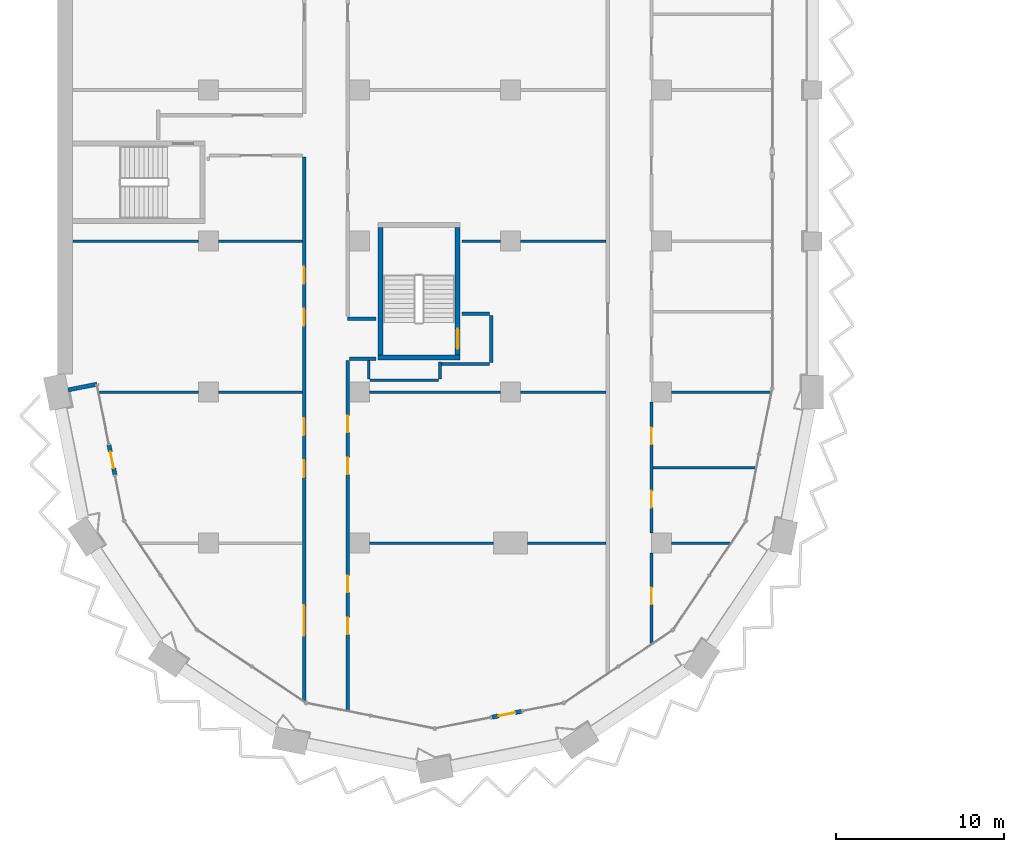
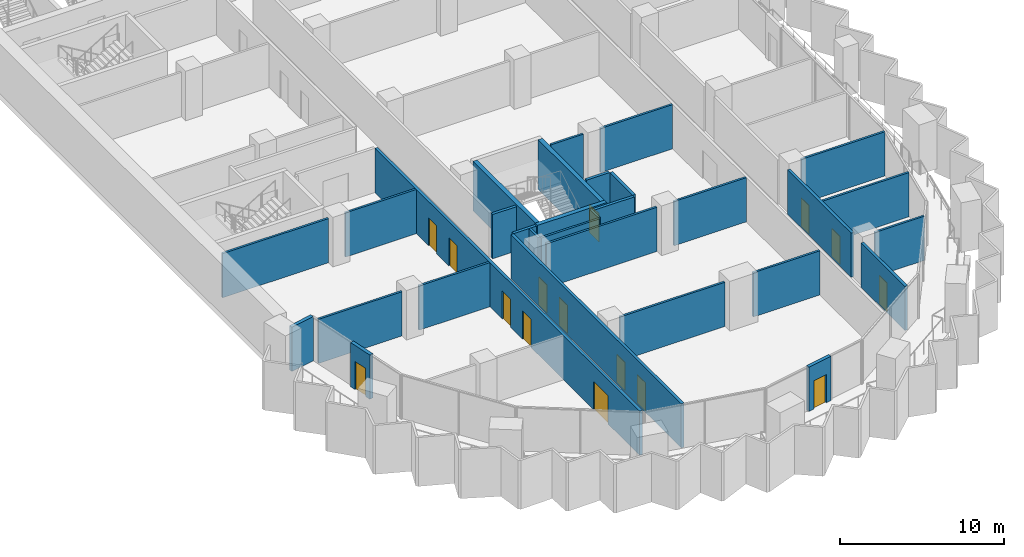
# One storey, part 8 of 22: 31 walls, 15 doors, 15 openings.
"""IFC4 building model written with IfcOpenShell, lengths in metres."""

from ifc_helpers import new_model, si_unit, direction, frame, frame_2d, origin, place, context, subcontext, project, spatial, rectangle, extrude, material, layer, layer_set, type_object, element, fill, save


model = new_model("IFC4")

# Units and contexts
model_context = context("Model", 3, precision=1e-05, world=origin(), true_north=direction((0.0, 1.0)))
body_context = subcontext(model_context, "Body", "Model", "MODEL_VIEW")
ifc_project = project(units=[si_unit("LENGTHUNIT", "METRE"), si_unit("AREAUNIT", "SQUARE_METRE"), si_unit("VOLUMEUNIT", "CUBIC_METRE"), si_unit("PLANEANGLEUNIT", "RADIAN"), si_unit("MASSUNIT", "GRAM", prefix="KILO")], contexts=[model_context])

# Site, building, storey
site_placement = place(None, origin())
site = spatial("IfcSite", under=ifc_project, at=site_placement, CompositionType="ELEMENT")
building_placement = place(site_placement, origin())
building = spatial("IfcBuilding", under=site, at=building_placement, Name="Hunhe Ridgeline Campus", CompositionType="ELEMENT")
storey_placement = place(building_placement, frame((0.0, 0.0, 137.5)))
storey = spatial("IfcBuildingStorey", under=building, at=storey_placement, Name="L34", CompositionType="ELEMENT", Elevation=137.5)

# Walls
ifc_material_1 = material(Name="Concrete C30", Category="concrete")
ifc_layer_1 = layer(ifc_material_1, 0.25)
ifc_layer_set_1 = layer_set([ifc_layer_1], Name="Corner return wall 250 Concrete C30")
wall_type_1 = type_object("IfcWallType", Name="Corner return wall 250 Concrete C30", PredefinedType="SOLIDWALL", material=ifc_layer_set_1)
wall_1_placement = place(storey_placement, frame((0.637451171875, 27.127685546875, 0.0), z_axis=(0.0, 0.0, 1.0), x_axis=(0.980842591884, 0.194801976239, 0.0)))
element("IfcWall", 1, at=wall_1_placement, inside=storey, type_object=wall_type_1, Name="Corner return wall 1", PredefinedType="SOLIDWALL", context=body_context, shape_type="SweptSolid", body=[
    extrude(rectangle(XDim=1.750732421875, YDim=0.25, at=frame_2d((0.87548828125, 0.0))), origin(), (0.0, 0.0, 1.0), 3.300048828125),
])
ifc_material_2 = material(Name="Gypsum board partition")
ifc_layer_2 = layer(ifc_material_2, 0.199951171875)
ifc_layer_set_2 = layer_set([ifc_layer_2], Name="Corridor partition 200 gypsum board on steel studs")
wall_type_2 = type_object("IfcWallType", Name="Corridor partition 200 gypsum board on steel studs", PredefinedType="PARTITIONING", material=ifc_layer_set_2)
wall_2_placement = place(storey_placement, frame((25.75, 28.675048828125, 0.0), z_axis=(0.0, 0.0, 1.0), x_axis=(-1.0, 0.0, 0.0)))
element("IfcWall", 2, at=wall_2_placement, inside=storey, type_object=wall_type_2, Name="F-L34-wall-013", PredefinedType="PARTITIONING", context=body_context, shape_type="SweptSolid", body=[
    extrude(rectangle(XDim=2.875, YDim=0.199951171875, at=frame_2d((1.4375, 0.0))), origin(), (0.0, 0.0, 1.0), 3.300048828125),
])
wall_3_placement = place(storey_placement, frame((18.99609375, 28.97509765625, 0.0), z_axis=(0.0, 0.0, 1.0), x_axis=(-1.0, 0.0, 0.0)))
element("IfcWall", 3, at=wall_3_placement, inside=storey, type_object=wall_type_2, Name="F-L34-wall-014", PredefinedType="PARTITIONING", context=body_context, shape_type="SweptSolid", body=[
    extrude(rectangle(XDim=1.59619140625, YDim=0.199951171875, at=frame_2d((0.798095703125, 0.0))), origin(), (0.0, 0.0, 1.0), 3.300048828125),
])
wall_4_placement = place(storey_placement, frame((17.300048828125, 31.375, 0.0), z_axis=(0.0, 0.0, 1.0), x_axis=(1.0, 0.0, 0.0)))
element("IfcWall", 4, at=wall_4_placement, inside=storey, type_object=wall_type_2, Name="F-L34-wall-015", PredefinedType="PARTITIONING", context=body_context, shape_type="SweptSolid", body=[
    extrude(rectangle(XDim=1.696044921875, YDim=0.199951171875, at=frame_2d((0.84814453125, 0.0))), origin(), (0.0, 0.0, 1.0), 3.300048828125),
])
wall_5_placement = place(storey_placement, frame((24.10400390625, 31.675048828125, 0.0), z_axis=(0.0, 0.0, 1.0), x_axis=(1.0, 0.0, 0.0)))
element("IfcWall", 5, at=wall_5_placement, inside=storey, type_object=wall_type_2, Name="F-L34-wall-016", PredefinedType="PARTITIONING", context=body_context, shape_type="SweptSolid", body=[
    extrude(rectangle(XDim=1.64599609375, YDim=0.199951171875, at=frame_2d((0.822998046875, 0.0))), origin(), (0.0, 0.0, 1.0), 3.300048828125),
])

# Wall, openings, doors
wall_6_placement = place(storey_placement, frame((14.699951171875, 8.623779296875, 0.0), z_axis=(0.0, 0.0, 1.0), x_axis=(0.0, 1.0, 0.0)))
wall_6 = element("IfcWall", 6, at=wall_6_placement, inside=storey, type_object=wall_type_2, Name="F-L34-wall-061", PredefinedType="PARTITIONING", context=body_context, shape_type="SweptSolid", body=[
    extrude(rectangle(XDim=32.376220703125, YDim=0.199951171875, at=frame_2d((16.18798828125, 0.0))), origin(), (0.0, 0.0, 1.0), 3.300048828125),
])
opening_1_placement = place(wall_6_placement, frame((3.86865234375, 0.0, 0.0)))
opening_1 = element("IfcOpeningElement", 7, at=opening_1_placement, cuts=wall_6, Name="Opening RD2-002", PredefinedType="OPENING", context=body_context, shape_type="SweptSolid", body=[
    extrude(rectangle(XDim=1.800048828125, YDim=2.10009765625, at=frame_2d((0.89990234375, 1.050048828125))), frame((0.0, 0.10009765625, 0.0), z_axis=(0.0, -1.0, 0.0), x_axis=(1.0, 0.0, 0.0)), (0.0, 0.0, 1.0), 0.199951171875),
])
opening_2_placement = place(wall_6_placement, frame((13.3037109375, 0.0, 0.0)))
opening_2 = element("IfcOpeningElement", 8, at=opening_2_placement, cuts=wall_6, Name="Opening RD1-006", PredefinedType="OPENING", context=body_context, shape_type="SweptSolid", body=[
    extrude(rectangle(XDim=1.0, YDim=2.10009765625, at=frame_2d((0.5, 1.050048828125))), frame((0.0, 0.10009765625, 0.0), z_axis=(0.0, -1.0, 0.0), x_axis=(1.0, 0.0, 0.0)), (0.0, 0.0, 1.0), 0.199951171875),
])
opening_3_placement = place(wall_6_placement, frame((15.8037109375, 0.0, 0.0)))
opening_3 = element("IfcOpeningElement", 9, at=opening_3_placement, cuts=wall_6, Name="Opening RD1-009", PredefinedType="OPENING", context=body_context, shape_type="SweptSolid", body=[
    extrude(rectangle(XDim=1.0, YDim=2.10009765625, at=frame_2d((0.5, 1.050048828125))), frame((0.0, 0.10009765625, 0.0), z_axis=(0.0, -1.0, 0.0), x_axis=(1.0, 0.0, 0.0)), (0.0, 0.0, 1.0), 0.199951171875),
])
opening_4_placement = place(wall_6_placement, frame((22.339111328125, 0.0, 0.0)))
opening_4 = element("IfcOpeningElement", 10, at=opening_4_placement, cuts=wall_6, Name="Opening RD1-013", PredefinedType="OPENING", context=body_context, shape_type="SweptSolid", body=[
    extrude(rectangle(XDim=1.0, YDim=2.10009765625, at=frame_2d((0.5, 1.050048828125))), frame((0.0, 0.10009765625, 0.0), z_axis=(0.0, -1.0, 0.0), x_axis=(1.0, 0.0, 0.0)), (0.0, 0.0, 1.0), 0.199951171875),
])
opening_5_placement = place(wall_6_placement, frame((24.839111328125, 0.0, 0.0)))
opening_5 = element("IfcOpeningElement", 11, at=opening_5_placement, cuts=wall_6, Name="Opening RD1-015", PredefinedType="OPENING", context=body_context, shape_type="SweptSolid", body=[
    extrude(rectangle(XDim=1.0, YDim=2.10009765625, at=frame_2d((0.5, 1.050048828125))), frame((0.0, 0.10009765625, 0.0), z_axis=(0.0, -1.0, 0.0), x_axis=(1.0, 0.0, 0.0)), (0.0, 0.0, 1.0), 0.199951171875),
])
ifc_material_3 = material(Name="Timber door leaf", Category="wood")
door_type_1 = type_object("IfcDoorType", Name="Double fire door 1800x2100 timber FD60", OperationType="DOUBLE_DOOR_SINGLE_SWING", PredefinedType="DOOR", material=ifc_material_3)
door_1_placement = place(opening_1_placement, origin())
door_1 = element("IfcDoor", 12, at=door_1_placement, inside=storey, type_object=door_type_1, Name="F-L34-door-002", OperationType="DOUBLE_DOOR_SINGLE_SWING", OverallHeight=2.10009765625, OverallWidth=1.800048828125, PredefinedType="DOOR", context=body_context, shape_type="SweptSolid", body=[
    extrude(rectangle(XDim=1.800048828125, YDim=2.10009765625, at=frame_2d((0.89990234375, 1.050048828125))), frame((0.0, 0.02490234375, 0.0), z_axis=(0.0, -1.0, 0.0), x_axis=(1.0, 0.0, 0.0)), (0.0, 0.0, 1.0), 0.050048828125),
])
fill(opening_1, door_1)
door_type_2 = type_object("IfcDoorType", Name="Single fire door 1000x2100 timber FD60", OperationType="NOTDEFINED", PredefinedType="DOOR", material=ifc_material_3)
door_2_placement = place(opening_2_placement, frame((1.0, 0.0, 0.0), z_axis=(0.0, 0.0, 1.0), x_axis=(-1.0, 0.0, 0.0)))
door_2 = element("IfcDoor", 13, at=door_2_placement, inside=storey, type_object=door_type_2, Name="F-L34-door-006", OperationType="SINGLE_SWING_LEFT", OverallHeight=2.10009765625, OverallWidth=1.0, PredefinedType="DOOR", context=body_context, shape_type="SweptSolid", body=[
    extrude(rectangle(XDim=1.0, YDim=2.10009765625, at=frame_2d((0.5, 1.050048828125))), frame((0.0, 0.02490234375, 0.0), z_axis=(0.0, -1.0, 0.0), x_axis=(1.0, 0.0, 0.0)), (0.0, 0.0, 1.0), 0.050048828125),
])
fill(opening_2, door_2)
door_3_placement = place(opening_3_placement, frame((1.0, 0.0, 0.0), z_axis=(0.0, 0.0, 1.0), x_axis=(-1.0, 0.0, 0.0)))
door_3 = element("IfcDoor", 14, at=door_3_placement, inside=storey, type_object=door_type_2, Name="F-L34-door-009", OperationType="SINGLE_SWING_LEFT", OverallHeight=2.10009765625, OverallWidth=1.0, PredefinedType="DOOR", context=body_context, shape_type="SweptSolid", body=[
    extrude(rectangle(XDim=1.0, YDim=2.10009765625, at=frame_2d((0.5, 1.050048828125))), frame((0.0, 0.02490234375, 0.0), z_axis=(0.0, -1.0, 0.0), x_axis=(1.0, 0.0, 0.0)), (0.0, 0.0, 1.0), 0.050048828125),
])
fill(opening_3, door_3)
door_4_placement = place(opening_4_placement, frame((1.0, 0.0, 0.0), z_axis=(0.0, 0.0, 1.0), x_axis=(-1.0, 0.0, 0.0)))
door_4 = element("IfcDoor", 15, at=door_4_placement, inside=storey, type_object=door_type_2, Name="F-L34-door-013", OperationType="SINGLE_SWING_LEFT", OverallHeight=2.10009765625, OverallWidth=1.0, PredefinedType="DOOR", context=body_context, shape_type="SweptSolid", body=[
    extrude(rectangle(XDim=1.0, YDim=2.10009765625, at=frame_2d((0.5, 1.050048828125))), frame((0.0, 0.02490234375, 0.0), z_axis=(0.0, -1.0, 0.0), x_axis=(1.0, 0.0, 0.0)), (0.0, 0.0, 1.0), 0.050048828125),
])
fill(opening_4, door_4)
door_5_placement = place(opening_5_placement, frame((1.0, 0.0, 0.0), z_axis=(0.0, 0.0, 1.0), x_axis=(-1.0, 0.0, 0.0)))
door_5 = element("IfcDoor", 16, at=door_5_placement, inside=storey, type_object=door_type_2, Name="F-L34-door-015", OperationType="SINGLE_SWING_LEFT", OverallHeight=2.10009765625, OverallWidth=1.0, PredefinedType="DOOR", context=body_context, shape_type="SweptSolid", body=[
    extrude(rectangle(XDim=1.0, YDim=2.10009765625, at=frame_2d((0.5, 1.050048828125))), frame((0.0, 0.02490234375, 0.0), z_axis=(0.0, -1.0, 0.0), x_axis=(1.0, 0.0, 0.0)), (0.0, 0.0, 1.0), 0.050048828125),
])
fill(opening_5, door_5)

wall_7_placement = place(storey_placement, frame((17.300048828125, 28.875, 0.0), z_axis=(0.0, 0.0, 1.0), x_axis=(0.0, -1.0, 0.0)))
wall_7 = element("IfcWall", 17, at=wall_7_placement, inside=storey, type_object=wall_type_2, Name="F-L34-wall-063", PredefinedType="PARTITIONING", context=body_context, shape_type="SweptSolid", body=[
    extrude(rectangle(XDim=20.837646484375, YDim=0.199951171875, at=frame_2d((10.4189453125, 0.0))), origin(), (0.0, 0.0, 1.0), 3.300048828125),
])
opening_6_placement = place(wall_7_placement, frame((15.31640625, 0.0, 0.0)))
opening_6 = element("IfcOpeningElement", 18, at=opening_6_placement, cuts=wall_7, Name="Opening RD1-001", PredefinedType="OPENING", context=body_context, shape_type="SweptSolid", body=[
    extrude(rectangle(XDim=1.0, YDim=2.10009765625, at=frame_2d((0.5, 1.050048828125))), frame((0.0, 0.10009765625, 0.0), z_axis=(0.0, -1.0, 0.0), x_axis=(1.0, 0.0, 0.0)), (0.0, 0.0, 1.0), 0.199951171875),
])
opening_7_placement = place(wall_7_placement, frame((12.81640625, 0.0, 0.0)))
opening_7 = element("IfcOpeningElement", 19, at=opening_7_placement, cuts=wall_7, Name="Opening RD1-004", PredefinedType="OPENING", context=body_context, shape_type="SweptSolid", body=[
    extrude(rectangle(XDim=1.0, YDim=2.10009765625, at=frame_2d((0.5, 1.050048828125))), frame((0.0, 0.10009765625, 0.0), z_axis=(0.0, -1.0, 0.0), x_axis=(1.0, 0.0, 0.0)), (0.0, 0.0, 1.0), 0.199951171875),
])
opening_8_placement = place(wall_7_placement, frame((5.7763671875, 0.0, 0.0)))
opening_8 = element("IfcOpeningElement", 20, at=opening_8_placement, cuts=wall_7, Name="Opening RD1-007", PredefinedType="OPENING", context=body_context, shape_type="SweptSolid", body=[
    extrude(rectangle(XDim=1.0, YDim=2.10009765625, at=frame_2d((0.5, 1.050048828125))), frame((0.0, 0.10009765625, 0.0), z_axis=(0.0, -1.0, 0.0), x_axis=(1.0, 0.0, 0.0)), (0.0, 0.0, 1.0), 0.199951171875),
])
opening_9_placement = place(wall_7_placement, frame((3.2763671875, 0.0, 0.0)))
opening_9 = element("IfcOpeningElement", 21, at=opening_9_placement, cuts=wall_7, Name="Opening RD1-010", PredefinedType="OPENING", context=body_context, shape_type="SweptSolid", body=[
    extrude(rectangle(XDim=1.0, YDim=2.10009765625, at=frame_2d((0.5, 1.050048828125))), frame((0.0, 0.10009765625, 0.0), z_axis=(0.0, -1.0, 0.0), x_axis=(1.0, 0.0, 0.0)), (0.0, 0.0, 1.0), 0.199951171875),
])
door_6_placement = place(opening_6_placement, frame((1.0, 0.0, 0.0), z_axis=(0.0, 0.0, 1.0), x_axis=(-1.0, 0.0, 0.0)))
door_6 = element("IfcDoor", 22, at=door_6_placement, inside=storey, type_object=door_type_2, Name="F-L34-door-001", OperationType="SINGLE_SWING_RIGHT", OverallHeight=2.10009765625, OverallWidth=1.0, PredefinedType="DOOR", context=body_context, shape_type="SweptSolid", body=[
    extrude(rectangle(XDim=1.0, YDim=2.10009765625, at=frame_2d((0.5, 1.050048828125))), frame((0.0, 0.02490234375, 0.0), z_axis=(0.0, -1.0, 0.0), x_axis=(1.0, 0.0, 0.0)), (0.0, 0.0, 1.0), 0.050048828125),
])
fill(opening_6, door_6)
door_7_placement = place(opening_7_placement, frame((1.0, 0.0, 0.0), z_axis=(0.0, 0.0, 1.0), x_axis=(-1.0, 0.0, 0.0)))
door_7 = element("IfcDoor", 23, at=door_7_placement, inside=storey, type_object=door_type_2, Name="F-L34-door-004", OperationType="SINGLE_SWING_RIGHT", OverallHeight=2.10009765625, OverallWidth=1.0, PredefinedType="DOOR", context=body_context, shape_type="SweptSolid", body=[
    extrude(rectangle(XDim=1.0, YDim=2.10009765625, at=frame_2d((0.5, 1.050048828125))), frame((0.0, 0.02490234375, 0.0), z_axis=(0.0, -1.0, 0.0), x_axis=(1.0, 0.0, 0.0)), (0.0, 0.0, 1.0), 0.050048828125),
])
fill(opening_7, door_7)
door_8_placement = place(opening_8_placement, frame((1.0, 0.0, 0.0), z_axis=(0.0, 0.0, 1.0), x_axis=(-1.0, 0.0, 0.0)))
door_8 = element("IfcDoor", 24, at=door_8_placement, inside=storey, type_object=door_type_2, Name="F-L34-door-007", OperationType="SINGLE_SWING_RIGHT", OverallHeight=2.10009765625, OverallWidth=1.0, PredefinedType="DOOR", context=body_context, shape_type="SweptSolid", body=[
    extrude(rectangle(XDim=1.0, YDim=2.10009765625, at=frame_2d((0.5, 1.050048828125))), frame((0.0, 0.02490234375, 0.0), z_axis=(0.0, -1.0, 0.0), x_axis=(1.0, 0.0, 0.0)), (0.0, 0.0, 1.0), 0.050048828125),
])
fill(opening_8, door_8)
door_9_placement = place(opening_9_placement, frame((1.0, 0.0, 0.0), z_axis=(0.0, 0.0, 1.0), x_axis=(-1.0, 0.0, 0.0)))
door_9 = element("IfcDoor", 25, at=door_9_placement, inside=storey, type_object=door_type_2, Name="F-L34-door-010", OperationType="SINGLE_SWING_RIGHT", OverallHeight=2.10009765625, OverallWidth=1.0, PredefinedType="DOOR", context=body_context, shape_type="SweptSolid", body=[
    extrude(rectangle(XDim=1.0, YDim=2.10009765625, at=frame_2d((0.5, 1.050048828125))), frame((0.0, 0.02490234375, 0.0), z_axis=(0.0, -1.0, 0.0), x_axis=(1.0, 0.0, 0.0)), (0.0, 0.0, 1.0), 0.050048828125),
])
fill(opening_9, door_9)

# Wall
wall_8_placement = place(storey_placement, frame((25.85009765625, 31.574951171875, 0.0), z_axis=(0.0, 0.0, 1.0), x_axis=(0.0, -1.0, 0.0)))
element("IfcWall", 26, at=wall_8_placement, inside=storey, type_object=wall_type_2, Name="F-L34-wall-067", PredefinedType="PARTITIONING", context=body_context, shape_type="SweptSolid", body=[
    extrude(rectangle(XDim=2.800048828125, YDim=0.199951171875, at=frame_2d((1.39990234375, 0.0))), origin(), (0.0, 0.0, 1.0), 3.300048828125),
])

# Wall, opening, door
wall_9_placement = place(storey_placement, frame((35.39990234375, 17.39990234375, 0.0), z_axis=(0.0, 0.0, 1.0), x_axis=(0.0, -1.0, 0.0)))
wall_9 = element("IfcWall", 27, at=wall_9_placement, inside=storey, type_object=wall_type_2, Name="F-L34-wall-069", PredefinedType="PARTITIONING", context=body_context, shape_type="SweptSolid", body=[
    extrude(rectangle(XDim=5.368408203125, YDim=0.199951171875, at=frame_2d((2.68408203125, 0.0))), origin(), (0.0, 0.0, 1.0), 3.300048828125),
])
opening_10_placement = place(wall_9_placement, frame((2.056396484375, 0.0, 0.0)))
opening_10 = element("IfcOpeningElement", 28, at=opening_10_placement, cuts=wall_9, Name="Opening RD1-003", PredefinedType="OPENING", context=body_context, shape_type="SweptSolid", body=[
    extrude(rectangle(XDim=1.0, YDim=2.10009765625, at=frame_2d((0.5, 1.050048828125))), frame((0.0, 0.10009765625, 0.0), z_axis=(0.0, -1.0, 0.0), x_axis=(1.0, 0.0, 0.0)), (0.0, 0.0, 1.0), 0.199951171875),
])
door_10_placement = place(opening_10_placement, origin())
door_10 = element("IfcDoor", 29, at=door_10_placement, inside=storey, type_object=door_type_2, Name="F-L34-door-003", OperationType="SINGLE_SWING_LEFT", OverallHeight=2.10009765625, OverallWidth=1.0, PredefinedType="DOOR", context=body_context, shape_type="SweptSolid", body=[
    extrude(rectangle(XDim=1.0, YDim=2.10009765625, at=frame_2d((0.5, 1.050048828125))), frame((0.0, 0.02490234375, 0.0), z_axis=(0.0, -1.0, 0.0), x_axis=(1.0, 0.0, 0.0)), (0.0, 0.0, 1.0), 0.050048828125),
])
fill(opening_10, door_10)

# Wall, openings, doors
wall_10_placement = place(storey_placement, frame((35.39990234375, 26.39990234375, 0.0), z_axis=(0.0, 0.0, 1.0), x_axis=(0.0, -1.0, 0.0)))
wall_10 = element("IfcWall", 30, at=wall_10_placement, inside=storey, type_object=wall_type_2, Name="F-L34-wall-070", PredefinedType="PARTITIONING", context=body_context, shape_type="SweptSolid", body=[
    extrude(rectangle(XDim=7.7998046875, YDim=0.199951171875, at=frame_2d((3.89990234375, 0.0))), origin(), (0.0, 0.0, 1.0), 3.300048828125),
])
opening_11_placement = place(wall_10_placement, frame((5.287109375, 0.0, 0.0)))
opening_11 = element("IfcOpeningElement", 31, at=opening_11_placement, cuts=wall_10, Name="Opening RD1-005", PredefinedType="OPENING", context=body_context, shape_type="SweptSolid", body=[
    extrude(rectangle(XDim=1.0, YDim=2.10009765625, at=frame_2d((0.5, 1.050048828125))), frame((0.0, 0.10009765625, 0.0), z_axis=(0.0, -1.0, 0.0), x_axis=(1.0, 0.0, 0.0)), (0.0, 0.0, 1.0), 0.199951171875),
])
opening_12_placement = place(wall_10_placement, frame((1.512939453125, 0.0, 0.0)))
opening_12 = element("IfcOpeningElement", 32, at=opening_12_placement, cuts=wall_10, Name="Opening RD1-008", PredefinedType="OPENING", context=body_context, shape_type="SweptSolid", body=[
    extrude(rectangle(XDim=1.0, YDim=2.10009765625, at=frame_2d((0.5, 1.050048828125))), frame((0.0, 0.10009765625, 0.0), z_axis=(0.0, -1.0, 0.0), x_axis=(1.0, 0.0, 0.0)), (0.0, 0.0, 1.0), 0.199951171875),
])
door_11_placement = place(opening_11_placement, origin())
door_11 = element("IfcDoor", 33, at=door_11_placement, inside=storey, type_object=door_type_2, Name="F-L34-door-005", OperationType="SINGLE_SWING_LEFT", OverallHeight=2.10009765625, OverallWidth=1.0, PredefinedType="DOOR", context=body_context, shape_type="SweptSolid", body=[
    extrude(rectangle(XDim=1.0, YDim=2.10009765625, at=frame_2d((0.5, 1.050048828125))), frame((0.0, 0.02490234375, 0.0), z_axis=(0.0, -1.0, 0.0), x_axis=(1.0, 0.0, 0.0)), (0.0, 0.0, 1.0), 0.050048828125),
])
fill(opening_11, door_11)
door_12_placement = place(opening_12_placement, origin())
door_12 = element("IfcDoor", 34, at=door_12_placement, inside=storey, type_object=door_type_2, Name="F-L34-door-008", OperationType="SINGLE_SWING_LEFT", OverallHeight=2.10009765625, OverallWidth=1.0, PredefinedType="DOOR", context=body_context, shape_type="SweptSolid", body=[
    extrude(rectangle(XDim=1.0, YDim=2.10009765625, at=frame_2d((0.5, 1.050048828125))), frame((0.0, 0.02490234375, 0.0), z_axis=(0.0, -1.0, 0.0), x_axis=(1.0, 0.0, 0.0)), (0.0, 0.0, 1.0), 0.050048828125),
])
fill(opening_12, door_12)

# Wall, opening, door
ifc_layer_3 = layer(ifc_material_1, 0.25)
ifc_layer_set_3 = layer_set([ifc_layer_3], Name="Loggia door pier wall 250 Concrete C30")
wall_type_3 = type_object("IfcWallType", Name="Loggia door pier wall 250 Concrete C30", PredefinedType="SOLIDWALL", material=ifc_layer_set_3)
wall_11_placement = place(storey_placement, frame((3.076904296875, 23.8388671875, 0.0), z_axis=(0.0, 0.0, 1.0), x_axis=(0.195046569833, -0.980793982239, 0.0)))
wall_11 = element("IfcWall", 35, at=wall_11_placement, inside=storey, type_object=wall_type_3, Name="Loggia door pier 1", PredefinedType="SOLIDWALL", context=body_context, shape_type="SweptSolid", body=[
    extrude(rectangle(XDim=1.800048828125, YDim=0.25, at=frame_2d((0.89990234375, 0.0))), origin(), (0.0, 0.0, 1.0), 3.300048828125),
])
opening_13_placement = place(wall_11_placement, frame((0.39990234375, 0.0, 0.0)))
opening_13 = element("IfcOpeningElement", 36, at=opening_13_placement, cuts=wall_11, Name="Opening BD301", PredefinedType="OPENING", context=body_context, shape_type="SweptSolid", body=[
    extrude(rectangle(XDim=1.0, YDim=2.10009765625, at=frame_2d((0.5, 1.050048828125))), frame((0.0, 0.125, 0.0), z_axis=(0.0, -1.0, 0.0), x_axis=(1.0, 0.0, 0.0)), (0.0, 0.0, 1.0), 0.25),
])
ifc_material_4 = material(Name="Aluminium 6063", Category="aluminium")
door_type_3 = type_object("IfcDoorType", Name="Loggia glazed door 1000x2100", OperationType="NOTDEFINED", PredefinedType="DOOR", material=ifc_material_4)
door_13_placement = place(opening_13_placement, frame((1.0, 0.0, 0.0), z_axis=(0.0, 0.0, 1.0), x_axis=(-1.0, 0.0, 0.0)))
door_13 = element("IfcDoor", 37, at=door_13_placement, inside=storey, type_object=door_type_3, Name="Loggia door BD301", OperationType="SINGLE_SWING_RIGHT", OverallHeight=2.10009765625, OverallWidth=1.0, PredefinedType="DOOR", context=body_context, shape_type="SweptSolid", body=[
    extrude(rectangle(XDim=1.0, YDim=2.10009765625, at=frame_2d((0.5, 1.050048828125))), frame((0.0, 0.02490234375, 0.0), z_axis=(0.0, -1.0, 0.0), x_axis=(1.0, 0.0, 0.0)), (0.0, 0.0, 1.0), 0.050048828125),
])
fill(opening_13, door_13)

wall_12_placement = place(storey_placement, frame((25.8955078125, 7.62353515625, 0.0), z_axis=(0.0, 0.0, 1.0), x_axis=(0.980793982239, 0.195046569833, 0.0)))
wall_12 = element("IfcWall", 38, at=wall_12_placement, inside=storey, type_object=wall_type_3, Name="Loggia door pier 2", PredefinedType="SOLIDWALL", context=body_context, shape_type="SweptSolid", body=[
    extrude(rectangle(XDim=1.800048828125, YDim=0.25, at=frame_2d((0.89990234375, 0.0))), origin(), (0.0, 0.0, 1.0), 3.300048828125),
])
opening_14_placement = place(wall_12_placement, frame((0.39990234375, 0.0, 0.0)))
opening_14 = element("IfcOpeningElement", 39, at=opening_14_placement, cuts=wall_12, Name="Opening BD303", PredefinedType="OPENING", context=body_context, shape_type="SweptSolid", body=[
    extrude(rectangle(XDim=1.0, YDim=2.10009765625, at=frame_2d((0.5, 1.050048828125))), frame((0.0, 0.125, 0.0), z_axis=(0.0, -1.0, 0.0), x_axis=(1.0, 0.0, 0.0)), (0.0, 0.0, 1.0), 0.25),
])
door_14_placement = place(opening_14_placement, frame((1.0, 0.0, 0.0), z_axis=(0.0, 0.0, 1.0), x_axis=(-1.0, 0.0, 0.0)))
door_14 = element("IfcDoor", 40, at=door_14_placement, inside=storey, type_object=door_type_3, Name="Loggia door BD303", OperationType="SINGLE_SWING_RIGHT", OverallHeight=2.10009765625, OverallWidth=1.0, PredefinedType="DOOR", context=body_context, shape_type="SweptSolid", body=[
    extrude(rectangle(XDim=1.0, YDim=2.10009765625, at=frame_2d((0.5, 1.050048828125))), frame((0.0, 0.02490234375, 0.0), z_axis=(0.0, -1.0, 0.0), x_axis=(1.0, 0.0, 0.0)), (0.0, 0.0, 1.0), 0.050048828125),
])
fill(opening_14, door_14)

# Walls
ifc_layer_4 = layer(ifc_material_2, 0.14990234375)
ifc_layer_set_4 = layer_set([ifc_layer_4], Name="Room partition 150 gypsum board on steel studs")
wall_type_4 = type_object("IfcWallType", Name="Room partition 150 gypsum board on steel studs", PredefinedType="PARTITIONING", material=ifc_layer_set_4)
wall_13_placement = place(storey_placement, frame((18.60009765625, 18.0, 0.0), z_axis=(0.0, 0.0, 1.0), x_axis=(1.0, 0.0, 0.0)))
element("IfcWall", 41, at=wall_13_placement, inside=storey, type_object=wall_type_4, Name="F-L34-wall-003", PredefinedType="PARTITIONING", context=body_context, shape_type="SweptSolid", body=[
    extrude(rectangle(XDim=7.39990234375, YDim=0.14990234375, at=frame_2d((3.699951171875, 0.0))), origin(), (0.0, 0.0, 1.0), 3.300048828125),
])
wall_14_placement = place(storey_placement, frame((28.0, 18.0, 0.0), z_axis=(0.0, 0.0, 1.0), x_axis=(1.0, 0.0, 0.0)))
element("IfcWall", 42, at=wall_14_placement, inside=storey, type_object=wall_type_4, Name="F-L34-wall-004", PredefinedType="PARTITIONING", context=body_context, shape_type="SweptSolid", body=[
    extrude(rectangle(XDim=4.699951171875, YDim=0.14990234375, at=frame_2d((2.35009765625, 0.0))), origin(), (0.0, 0.0, 1.0), 3.300048828125),
])
wall_15_placement = place(storey_placement, frame((36.60009765625, 18.0, 0.0), z_axis=(0.0, 0.0, 1.0), x_axis=(1.0, 0.0, 0.0)))
element("IfcWall", 43, at=wall_15_placement, inside=storey, type_object=wall_type_4, Name="F-L34-wall-005", PredefinedType="PARTITIONING", context=body_context, shape_type="SweptSolid", body=[
    extrude(rectangle(XDim=3.474365234375, YDim=0.14990234375, at=frame_2d((1.7373046875, 0.0))), origin(), (0.0, 0.0, 1.0), 3.300048828125),
])
wall_16_placement = place(storey_placement, frame((35.5, 22.5, 0.0), z_axis=(0.0, 0.0, 1.0), x_axis=(1.0, 0.0, 0.0)))
element("IfcWall", 44, at=wall_16_placement, inside=storey, type_object=wall_type_4, Name="F-L34-wall-006", PredefinedType="PARTITIONING", context=body_context, shape_type="SweptSolid", body=[
    extrude(rectangle(XDim=6.101806640625, YDim=0.14990234375, at=frame_2d((3.05078125, 0.0))), origin(), (0.0, 0.0, 1.0), 3.300048828125),
])
wall_17_placement = place(storey_placement, frame((2.503173828125, 27.0, 0.0), z_axis=(0.0, 0.0, 1.0), x_axis=(1.0, 0.0, 0.0)))
element("IfcWall", 45, at=wall_17_placement, inside=storey, type_object=wall_type_4, Name="F-L34-wall-007", PredefinedType="PARTITIONING", context=body_context, shape_type="SweptSolid", body=[
    extrude(rectangle(XDim=5.896728515625, YDim=0.14990234375, at=frame_2d((2.9482421875, 0.0))), origin(), (0.0, 0.0, 1.0), 3.300048828125),
])
wall_18_placement = place(storey_placement, frame((9.60009765625, 27.0, 0.0), z_axis=(0.0, 0.0, 1.0), x_axis=(1.0, 0.0, 0.0)))
element("IfcWall", 46, at=wall_18_placement, inside=storey, type_object=wall_type_4, Name="F-L34-wall-008", PredefinedType="PARTITIONING", context=body_context, shape_type="SweptSolid", body=[
    extrude(rectangle(XDim=5.0, YDim=0.14990234375, at=frame_2d((2.5, 0.0))), origin(), (0.0, 0.0, 1.0), 3.300048828125),
])
wall_19_placement = place(storey_placement, frame((18.60009765625, 27.0, 0.0), z_axis=(0.0, 0.0, 1.0), x_axis=(1.0, 0.0, 0.0)))
element("IfcWall", 47, at=wall_19_placement, inside=storey, type_object=wall_type_4, Name="F-L34-wall-009", PredefinedType="PARTITIONING", context=body_context, shape_type="SweptSolid", body=[
    extrude(rectangle(XDim=7.7998046875, YDim=0.14990234375, at=frame_2d((3.89990234375, 0.0))), origin(), (0.0, 0.0, 1.0), 3.300048828125),
])
wall_20_placement = place(storey_placement, frame((27.60009765625, 27.0, 0.0), z_axis=(0.0, 0.0, 1.0), x_axis=(1.0, 0.0, 0.0)))
element("IfcWall", 48, at=wall_20_placement, inside=storey, type_object=wall_type_4, Name="F-L34-wall-010", PredefinedType="PARTITIONING", context=body_context, shape_type="SweptSolid", body=[
    extrude(rectangle(XDim=5.099853515625, YDim=0.14990234375, at=frame_2d((2.5498046875, 0.0))), origin(), (0.0, 0.0, 1.0), 3.300048828125),
])
wall_21_placement = place(storey_placement, frame((36.60009765625, 27.0, 0.0), z_axis=(0.0, 0.0, 1.0), x_axis=(1.0, 0.0, 0.0)))
element("IfcWall", 49, at=wall_21_placement, inside=storey, type_object=wall_type_4, Name="F-L34-wall-011", PredefinedType="PARTITIONING", context=body_context, shape_type="SweptSolid", body=[
    extrude(rectangle(XDim=5.896728515625, YDim=0.14990234375, at=frame_2d((2.9482421875, 0.0))), origin(), (0.0, 0.0, 1.0), 3.300048828125),
])
wall_22_placement = place(storey_placement, frame((18.625, 27.68994140625, 0.0), z_axis=(0.0, 0.0, 1.0), x_axis=(1.0, 0.0, 0.0)))
element("IfcWall", 50, at=wall_22_placement, inside=storey, type_object=wall_type_4, Name="F-L34-wall-012", PredefinedType="PARTITIONING", context=body_context, shape_type="SweptSolid", body=[
    extrude(rectangle(XDim=4.10009765625, YDim=0.14990234375, at=frame_2d((2.050048828125, 0.0))), origin(), (0.0, 0.0, 1.0), 3.300048828125),
])
wall_23_placement = place(storey_placement, frame((0.919921875, 36.0, 0.0), z_axis=(0.0, 0.0, 1.0), x_axis=(1.0, 0.0, 0.0)))
element("IfcWall", 51, at=wall_23_placement, inside=storey, type_object=wall_type_4, Name="F-L34-wall-018", PredefinedType="PARTITIONING", context=body_context, shape_type="SweptSolid", body=[
    extrude(rectangle(XDim=7.47998046875, YDim=0.14990234375, at=frame_2d((3.739990234375, 0.0))), origin(), (0.0, 0.0, 1.0), 3.300048828125),
])
wall_24_placement = place(storey_placement, frame((9.60009765625, 36.0, 0.0), z_axis=(0.0, 0.0, 1.0), x_axis=(1.0, 0.0, 0.0)))
element("IfcWall", 52, at=wall_24_placement, inside=storey, type_object=wall_type_4, Name="F-L34-wall-019", PredefinedType="PARTITIONING", context=body_context, shape_type="SweptSolid", body=[
    extrude(rectangle(XDim=5.0, YDim=0.14990234375, at=frame_2d((2.5, 0.0))), origin(), (0.0, 0.0, 1.0), 3.300048828125),
])
wall_25_placement = place(storey_placement, frame((24.10400390625, 36.0, 0.0), z_axis=(0.0, 0.0, 1.0), x_axis=(1.0, 0.0, 0.0)))
element("IfcWall", 53, at=wall_25_placement, inside=storey, type_object=wall_type_4, Name="F-L34-wall-020", PredefinedType="PARTITIONING", context=body_context, shape_type="SweptSolid", body=[
    extrude(rectangle(XDim=2.2958984375, YDim=0.14990234375, at=frame_2d((1.14794921875, 0.0))), origin(), (0.0, 0.0, 1.0), 3.300048828125),
])
wall_26_placement = place(storey_placement, frame((27.60009765625, 36.0, 0.0), z_axis=(0.0, 0.0, 1.0), x_axis=(1.0, 0.0, 0.0)))
element("IfcWall", 54, at=wall_26_placement, inside=storey, type_object=wall_type_4, Name="F-L34-wall-021", PredefinedType="PARTITIONING", context=body_context, shape_type="SweptSolid", body=[
    extrude(rectangle(XDim=5.099853515625, YDim=0.14990234375, at=frame_2d((2.5498046875, 0.0))), origin(), (0.0, 0.0, 1.0), 3.300048828125),
])
wall_27_placement = place(storey_placement, frame((18.550048828125, 28.875, 0.0), z_axis=(0.0, 0.0, 1.0), x_axis=(0.0, -1.0, 0.0)))
element("IfcWall", 55, at=wall_27_placement, inside=storey, type_object=wall_type_4, Name="F-L34-wall-065", PredefinedType="PARTITIONING", context=body_context, shape_type="SweptSolid", body=[
    extrude(rectangle(XDim=1.110107421875, YDim=0.14990234375, at=frame_2d((0.55517578125, 0.0))), origin(), (0.0, 0.0, 1.0), 3.300048828125),
])
wall_28_placement = place(storey_placement, frame((22.800048828125, 28.7958984375, 0.0), z_axis=(0.0, 0.0, 1.0), x_axis=(0.0, -1.0, 0.0)))
element("IfcWall", 56, at=wall_28_placement, inside=storey, type_object=wall_type_4, Name="F-L34-wall-066", PredefinedType="PARTITIONING", context=body_context, shape_type="SweptSolid", body=[
    extrude(rectangle(XDim=1.031005859375, YDim=0.14990234375, at=frame_2d((0.515625, 0.0))), origin(), (0.0, 0.0, 1.0), 3.300048828125),
])
ifc_material_5 = material(Name="Concrete C70", Category="concrete")
ifc_layer_5 = layer(ifc_material_5, 0.300048828125)
ifc_layer_set_5 = layer_set([ifc_layer_5], Name="Stair wall 300 reinforced concrete C70")
wall_type_5 = type_object("IfcWallType", Name="Stair wall 300 reinforced concrete C70", PredefinedType="SOLIDWALL", material=ifc_layer_set_5)
wall_29_placement = place(storey_placement, frame((19.10009765625, 29.050048828125, -0.39990234375), z_axis=(0.0, 0.0, 1.0), x_axis=(1.0, 0.0, 0.0)))
element("IfcWall", 57, at=wall_29_placement, inside=storey, type_object=wall_type_5, Name="L34 core wall 1", PredefinedType="SOLIDWALL", context=body_context, shape_type="SweptSolid", body=[
    extrude(rectangle(XDim=4.89990234375, YDim=0.300048828125, at=frame_2d((2.449951171875, 0.0))), origin(), (0.0, 0.0, 1.0), 3.699951171875),
])
wall_30_placement = place(storey_placement, frame((19.25, 29.199951171875, -0.39990234375), z_axis=(0.0, 0.0, 1.0), x_axis=(0.0, 1.0, 0.0)))
element("IfcWall", 58, at=wall_30_placement, inside=storey, type_object=wall_type_5, Name="L34 core wall 46", PredefinedType="SOLIDWALL", context=body_context, shape_type="SweptSolid", body=[
    extrude(rectangle(XDim=7.60009765625, YDim=0.300048828125, at=frame_2d((3.800048828125, 0.0))), origin(), (0.0, 0.0, 1.0), 3.699951171875),
])

# Wall, opening, door
wall_31_placement = place(storey_placement, frame((23.85009765625, 29.199951171875, -0.39990234375), z_axis=(0.0, 0.0, 1.0), x_axis=(0.0, 1.0, 0.0)))
wall_31 = element("IfcWall", 59, at=wall_31_placement, inside=storey, type_object=wall_type_5, Name="L34 core wall 51", PredefinedType="SOLIDWALL", context=body_context, shape_type="SweptSolid", body=[
    extrude(rectangle(XDim=7.60009765625, YDim=0.300048828125, at=frame_2d((3.800048828125, 0.0))), origin(), (0.0, 0.0, 1.0), 3.699951171875),
])
opening_15_placement = place(wall_31_placement, frame((0.375, 0.0, 0.39990234375)))
opening_15 = element("IfcOpeningElement", 60, at=opening_15_placement, cuts=wall_31, Name="Opening CD23", PredefinedType="OPENING", context=body_context, shape_type="SweptSolid", body=[
    extrude(rectangle(XDim=1.199951171875, YDim=2.10009765625, at=frame_2d((0.60009765625, 1.050048828125))), frame((0.0, 0.14990234375, 0.0), z_axis=(0.0, -1.0, 0.0), x_axis=(1.0, 0.0, 0.0)), (0.0, 0.0, 1.0), 0.300048828125),
])
ifc_material_6 = material(Name="Hollow metal fire door leaf")
door_type_4 = type_object("IfcDoorType", Name="Stair door 1200x2100 FD60", OperationType="SINGLE_SWING_LEFT", PredefinedType="DOOR", material=ifc_material_6)
door_15_placement = place(opening_15_placement, frame((1.199951171875, 0.0, 0.0), z_axis=(0.0, 0.0, 1.0), x_axis=(-1.0, 0.0, 0.0)))
door_15 = element("IfcDoor", 61, at=door_15_placement, inside=storey, type_object=door_type_4, Name="L34 door W3", OperationType="SINGLE_SWING_RIGHT", OverallHeight=2.10009765625, OverallWidth=1.199951171875, PredefinedType="DOOR", context=body_context, shape_type="SweptSolid", body=[
    extrude(rectangle(XDim=1.199951171875, YDim=2.10009765625, at=frame_2d((0.60009765625, 1.050048828125))), frame((0.0, 0.02490234375, 0.0), z_axis=(0.0, -1.0, 0.0), x_axis=(1.0, 0.0, 0.0)), (0.0, 0.0, 1.0), 0.050048828125),
])
fill(opening_15, door_15)

save(model, "model.ifc")
